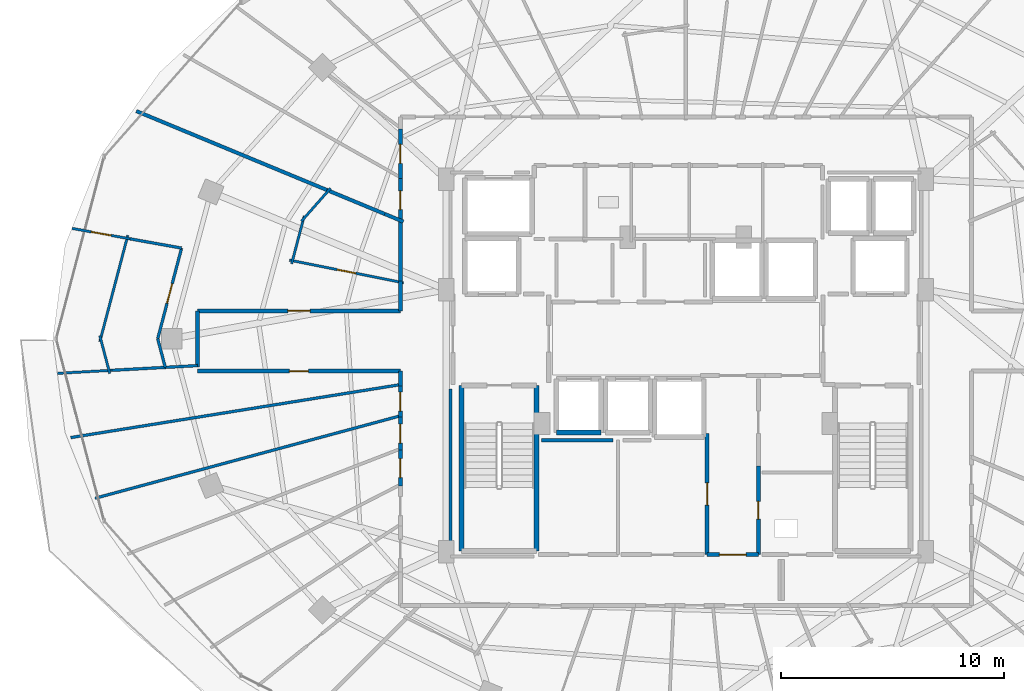
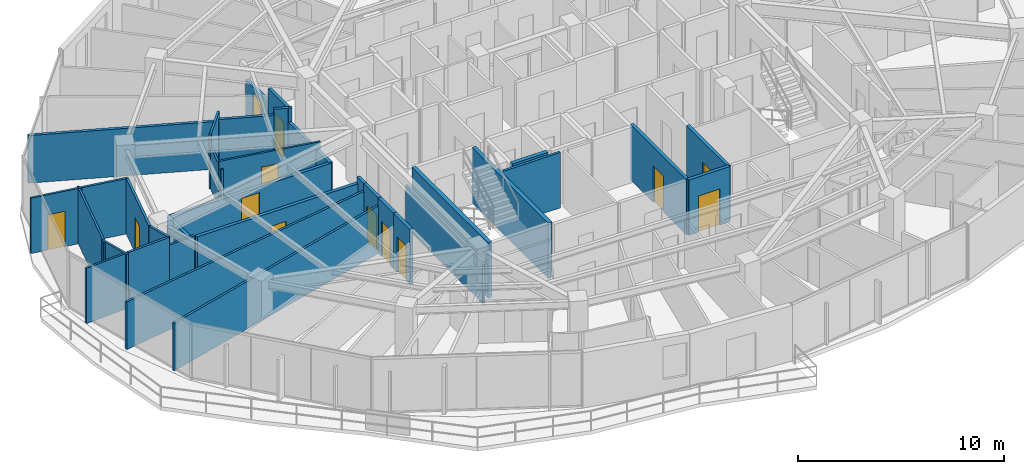
# One storey, part 25 of 33: 36 walls, 13 doors, 13 openings.
"""IFC4 building model written with IfcOpenShell, lengths in metres."""

from ifc_helpers import new_model, si_unit, direction, frame, frame_2d, origin, place, context, subcontext, project, spatial, rectangle, extrude, material, layer, layer_set, type_object, element, fill, save


model = new_model("IFC4")

# Units and contexts
model_context = context("Model", 3, precision=1e-05, world=origin(), true_north=direction((0.0, 1.0)))
body_context = subcontext(model_context, "Body", "Model", "MODEL_VIEW")
ifc_project = project(units=[si_unit("LENGTHUNIT", "METRE"), si_unit("AREAUNIT", "SQUARE_METRE"), si_unit("VOLUMEUNIT", "CUBIC_METRE"), si_unit("PLANEANGLEUNIT", "RADIAN"), si_unit("MASSUNIT", "GRAM", prefix="KILO")], contexts=[model_context])

# Site, building, storey
site_placement = place(None, origin())
site = spatial("IfcSite", under=ifc_project, at=site_placement, CompositionType="ELEMENT")
building_placement = place(site_placement, origin())
building = spatial("IfcBuilding", under=site, at=building_placement, Name="Vorneva Point Tower", CompositionType="ELEMENT")
storey_placement = place(building_placement, frame((0.0, 0.0, 217.85009765625)))
storey = spatial("IfcBuildingStorey", under=building, at=storey_placement, Name="L59", CompositionType="ELEMENT", Elevation=217.85009765625)

# Wall, opening, door
ifc_material_1 = material(Name="Fire-rated acoustic gypsum stud partition", Category="gypsum")
ifc_layer_1 = layer(ifc_material_1, 0.110107421875)
ifc_layer_set_1 = layer_set([ifc_layer_1], Name="Fire-rated acoustic gypsum stud partition")
wall_type_1 = type_object("IfcWallType", Name="WL-PART-110", PredefinedType="PARTITIONING", material=ifc_layer_set_1)
wall_1_placement = place(storey_placement, frame((25.33740234375, 28.5107421875, 0.0), z_axis=(0.0, 0.0, 1.0), x_axis=(-0.980930272027, 0.194359978959, 0.0)))
wall_1 = element("IfcWall", 1, at=wall_1_placement, inside=storey, type_object=wall_type_1, Name="L59 Interior Partition 120", PredefinedType="PARTITIONING", context=body_context, shape_type="SweptSolid", body=[
    extrude(rectangle(XDim=5.214111328125, YDim=0.110107421875, at=frame_2d((2.60693359375, 0.0))), origin(), (0.0, 0.0, 1.0), 2.923828125),
])
opening_1_placement = place(wall_1_placement, frame((2.181884765625, 0.0, 0.0)))
opening_1 = element("IfcOpeningElement", 2, at=opening_1_placement, cuts=wall_1, Name="Opening ID-02", PredefinedType="OPENING", context=body_context, shape_type="SweptSolid", body=[
    extrude(rectangle(XDim=0.85009765625, YDim=2.10009765625, at=frame_2d((0.425048828125, 1.050048828125))), frame((0.0, 0.06982421875, 0.0), z_axis=(0.0, -1.0, 0.0), x_axis=(1.0, 0.0, 0.0)), (0.0, 0.0, 1.0), 0.139892578125),
])
ifc_material_2 = material(Name="Engineered oak fire-rated door leaf", Category="wood")
door_type_1 = type_object("IfcDoorType", Name="DR-BATH-850", OperationType="NOTDEFINED", PredefinedType="DOOR", material=ifc_material_2)
door_1_placement = place(opening_1_placement, origin())
door_1 = element("IfcDoor", 3, at=door_1_placement, inside=storey, type_object=door_type_1, Name="L59 Door Living and Dining Room L59-03 / Bathroom L59-03", OperationType="SINGLE_SWING_RIGHT", OverallHeight=2.10009765625, OverallWidth=0.85009765625, PredefinedType="DOOR", context=body_context, shape_type="SweptSolid", body=[
    extrude(rectangle(XDim=0.85009765625, YDim=2.10009765625, at=frame_2d((0.425048828125, 1.050048828125))), frame((0.0, 0.02490234375, 0.0), z_axis=(0.0, -1.0, 0.0), x_axis=(1.0, 0.0, 0.0)), (0.0, 0.0, 1.0), 0.050048828125),
])
fill(opening_1, door_1)

# Walls
wall_2_placement = place(storey_placement, frame((20.324462890625, 29.361572265625, 0.0), z_axis=(0.0, 0.0, 1.0), x_axis=(0.254406599134, 0.967097348935, 0.0)))
element("IfcWall", 4, at=wall_2_placement, inside=storey, type_object=wall_type_1, Name="L59 Interior Partition 121", PredefinedType="PARTITIONING", context=body_context, shape_type="SweptSolid", body=[
    extrude(rectangle(XDim=2.2177734375, YDim=0.110107421875, at=frame_2d((1.10888671875, 0.0))), origin(), (0.0, 0.0, 1.0), 2.48193359375),
])
wall_3_placement = place(storey_placement, frame((20.760498046875, 31.26611328125, 0.0), z_axis=(0.0, 0.0, 1.0), x_axis=(0.661699472354, 0.749769170003, 0.0)))
element("IfcWall", 5, at=wall_3_placement, inside=storey, type_object=wall_type_1, Name="L59 Interior Partition 122", PredefinedType="PARTITIONING", context=body_context, shape_type="SweptSolid", body=[
    extrude(rectangle(XDim=1.970947265625, YDim=0.110107421875, at=frame_2d((0.9853515625, 0.0))), origin(), (0.0, 0.0, 1.0), 3.289794921875),
])
wall_4_placement = place(storey_placement, frame((12.273681640625, 24.584716796875, 0.0), z_axis=(0.0, 0.0, 1.0), x_axis=(-0.998485442787, -0.055016547898, 0.0)))
element("IfcWall", 6, at=wall_4_placement, inside=storey, type_object=wall_type_1, Name="L59 Interior Partition 123", PredefinedType="PARTITIONING", context=body_context, shape_type="SweptSolid", body=[
    extrude(rectangle(XDim=2.445068359375, YDim=0.110107421875, at=frame_2d((1.22265625, 0.0))), origin(), (0.0, 0.0, 1.0), 3.289794921875),
])

# Wall, opening, door
wall_5_placement = place(storey_placement, frame((10.480224609375, 30.94580078125, 0.0), z_axis=(0.0, 0.0, 1.0), x_axis=(0.98423288508, -0.176877437587, 0.0)))
wall_5 = element("IfcWall", 7, at=wall_5_placement, inside=storey, type_object=wall_type_1, Name="L59 Interior Partition 124", PredefinedType="PARTITIONING", context=body_context, shape_type="SweptSolid", body=[
    extrude(rectangle(XDim=2.643310546875, YDim=0.110107421875, at=frame_2d((1.32177734375, 0.0))), origin(), (0.0, 0.0, 1.0), 3.289794921875),
])
opening_2_placement = place(wall_5_placement, frame((0.87158203125, 0.0, 0.0)))
opening_2 = element("IfcOpeningElement", 8, at=opening_2_placement, cuts=wall_5, Name="Opening ID-01", PredefinedType="OPENING", context=body_context, shape_type="SweptSolid", body=[
    extrude(rectangle(XDim=0.89990234375, YDim=2.10009765625, at=frame_2d((0.449951171875, 1.050048828125))), frame((0.0, 0.06982421875, 0.0), z_axis=(0.0, -1.0, 0.0), x_axis=(1.0, 0.0, 0.0)), (0.0, 0.0, 1.0), 0.139892578125),
])
door_type_2 = type_object("IfcDoorType", Name="DR-ROOM-900", OperationType="NOTDEFINED", PredefinedType="DOOR", material=ifc_material_2)
door_2_placement = place(opening_2_placement, origin())
door_2 = element("IfcDoor", 9, at=door_2_placement, inside=storey, type_object=door_type_2, Name="L59 Door Living and Dining Room L59-03 / Kitchen L59-03", OperationType="SINGLE_SWING_LEFT", OverallHeight=2.10009765625, OverallWidth=0.89990234375, PredefinedType="DOOR", context=body_context, shape_type="SweptSolid", body=[
    extrude(rectangle(XDim=0.89990234375, YDim=2.10009765625, at=frame_2d((0.449951171875, 1.050048828125))), frame((0.0, 0.02490234375, 0.0), z_axis=(0.0, -1.0, 0.0), x_axis=(1.0, 0.0, 0.0)), (0.0, 0.0, 1.0), 0.050048828125),
])
fill(opening_2, door_2)

# Walls
wall_6_placement = place(storey_placement, frame((12.169677734375, 24.441650390625, 0.0), z_axis=(0.0, 0.0, 1.0), x_axis=(-0.254260000639, 0.967135901554, 0.0)))
element("IfcWall", 10, at=wall_6_placement, inside=storey, type_object=wall_type_1, Name="L59 Interior Partition 130", PredefinedType="PARTITIONING", context=body_context, shape_type="SweptSolid", body=[
    extrude(rectangle(XDim=1.75146484375, YDim=0.110107421875, at=frame_2d((0.875732421875, 0.0))), origin(), (0.0, 0.0, 1.0), 3.289794921875),
])
wall_7_placement = place(storey_placement, frame((11.724365234375, 25.864501953125, 0.0), z_axis=(0.0, 0.0, 1.0), x_axis=(0.254271749518, 0.967132812698, 0.0)))
element("IfcWall", 11, at=wall_7_placement, inside=storey, type_object=wall_type_1, Name="L59 Interior Partition 131", PredefinedType="PARTITIONING", context=body_context, shape_type="SweptSolid", body=[
    extrude(rectangle(XDim=4.936279296875, YDim=0.110107421875, at=frame_2d((2.46826171875, 0.0))), origin(), (0.0, 0.0, 1.0), 3.289794921875),
])

# Wall, opening, door
ifc_layer_2 = layer(ifc_material_1, 0.125)
ifc_layer_set_2 = layer_set([ifc_layer_2], Name="Fire-rated acoustic gypsum stud partition")
wall_type_2 = type_object("IfcWallType", Name="WL-PART-125", PredefinedType="PARTITIONING", material=ifc_layer_set_2)
wall_8_placement = place(storey_placement, frame((15.388916015625, 30.06396484375, 0.0), z_axis=(0.0, 0.0, 1.0), x_axis=(-0.254356027292, -0.967110651053, 0.0)))
wall_8 = element("IfcWall", 12, at=wall_8_placement, inside=storey, type_object=wall_type_2, Name="L59 Interior Partition 125", PredefinedType="PARTITIONING", context=body_context, shape_type="SweptSolid", body=[
    extrude(rectangle(XDim=4.2021484375, YDim=0.125, at=frame_2d((2.10107421875, 0.0))), origin(), (0.0, 0.0, 1.0), 3.289794921875),
])
opening_3_placement = place(wall_8_placement, frame((1.651123046875, 0.0, 0.0)))
opening_3 = element("IfcOpeningElement", 13, at=opening_3_placement, cuts=wall_8, Name="Opening ID-01", PredefinedType="OPENING", context=body_context, shape_type="SweptSolid", body=[
    extrude(rectangle(XDim=0.89990234375, YDim=2.10009765625, at=frame_2d((0.449951171875, 1.050048828125))), frame((0.0, 0.077392578125, 0.0), z_axis=(0.0, -1.0, 0.0), x_axis=(1.0, 0.0, 0.0)), (0.0, 0.0, 1.0), 0.15478515625),
])
door_3_placement = place(opening_3_placement, origin())
door_3 = element("IfcDoor", 14, at=door_3_placement, inside=storey, type_object=door_type_2, Name="L59 Door Living and Dining Room L59-03 / Study Room L59-03", OperationType="SINGLE_SWING_RIGHT", OverallHeight=2.10009765625, OverallWidth=0.89990234375, PredefinedType="DOOR", context=body_context, shape_type="SweptSolid", body=[
    extrude(rectangle(XDim=0.89990234375, YDim=2.10009765625, at=frame_2d((0.449951171875, 1.050048828125))), frame((0.0, 0.02490234375, 0.0), z_axis=(0.0, -1.0, 0.0), x_axis=(1.0, 0.0, 0.0)), (0.0, 0.0, 1.0), 0.050048828125),
])
fill(opening_3, door_3)

# Walls
wall_9_placement = place(storey_placement, frame((14.320068359375, 26.0, 0.0), z_axis=(0.0, 0.0, 1.0), x_axis=(0.254502350799, -0.967072155239, 0.0)))
element("IfcWall", 15, at=wall_9_placement, inside=storey, type_object=wall_type_2, Name="L59 Interior Partition 126", PredefinedType="PARTITIONING", context=body_context, shape_type="SweptSolid", body=[
    extrude(rectangle(XDim=1.32763671875, YDim=0.125, at=frame_2d((0.663818359375, 0.0))), origin(), (0.0, 0.0, 1.0), 3.289794921875),
])
wall_10_placement = place(storey_placement, frame((14.657958984375, 24.716064453125, 0.0), z_axis=(0.0, 0.0, 1.0), x_axis=(-0.998486041439, -0.055005681988, 0.0)))
element("IfcWall", 16, at=wall_10_placement, inside=storey, type_object=wall_type_2, Name="L59 Interior Partition 127", PredefinedType="PARTITIONING", context=body_context, shape_type="SweptSolid", body=[
    extrude(rectangle(XDim=2.387939453125, YDim=0.125, at=frame_2d((1.19384765625, 0.0))), origin(), (0.0, 0.0, 1.0), 3.289794921875),
])
wall_11_placement = place(storey_placement, frame((13.081787109375, 30.478271484375, 0.0), z_axis=(0.0, 0.0, 1.0), x_axis=(0.984255878712, -0.176749441923, 0.0)))
element("IfcWall", 17, at=wall_11_placement, inside=storey, type_object=wall_type_2, Name="L59 Interior Partition 128", PredefinedType="PARTITIONING", context=body_context, shape_type="SweptSolid", body=[
    extrude(rectangle(XDim=2.343994140625, YDim=0.125, at=frame_2d((1.171875, 0.0))), origin(), (0.0, 0.0, 1.0), 3.289794921875),
])
wall_12_placement = place(storey_placement, frame((14.657958984375, 24.7158203125, 0.0), z_axis=(0.0, 0.0, 1.0), x_axis=(0.99849911476, 0.054767853933, 0.0)))
element("IfcWall", 18, at=wall_12_placement, inside=storey, type_object=wall_type_2, Name="L59 Interior Partition 129", PredefinedType="PARTITIONING", context=body_context, shape_type="SweptSolid", body=[
    extrude(rectangle(XDim=1.4443359375, YDim=0.125, at=frame_2d((0.72216796875, 0.0))), origin(), (0.0, 0.0, 1.0), 2.823974609375),
])
wall_13_placement = place(storey_placement, frame((10.422119140625, 21.569091796875, 0.0), z_axis=(0.0, 0.0, 1.0), x_axis=(0.987340682458, 0.158613923612, 0.0)))
element("IfcWall", 19, at=wall_13_placement, inside=storey, type_object=wall_type_2, Name="L59 Interior Partition 132", PredefinedType="PARTITIONING", context=body_context, shape_type="SweptSolid", body=[
    extrude(rectangle(XDim=14.96728515625, YDim=0.125, at=frame_2d((7.483642578125, 0.0))), origin(), (0.0, 0.0, 1.0), 2.823974609375),
])
wall_14_placement = place(storey_placement, frame((11.510986328125, 18.84912109375, 0.0), z_axis=(0.0, 0.0, 1.0), x_axis=(0.965432982217, 0.260651408682, 0.0)))
element("IfcWall", 20, at=wall_14_placement, inside=storey, type_object=wall_type_2, Name="L59 Interior Partition 133", PredefinedType="PARTITIONING", context=body_context, shape_type="SweptSolid", body=[
    extrude(rectangle(XDim=14.17919921875, YDim=0.125, at=frame_2d((7.089599609375, 0.0))), origin(), (0.0, 0.0, 1.0), 2.823974609375),
])
ifc_layer_3 = layer(ifc_material_1, 0.139892578125)
ifc_layer_set_3 = layer_set([ifc_layer_3], Name="Fire-rated acoustic gypsum stud partition")
wall_type_3 = type_object("IfcWallType", Name="WL-PART-140", PredefinedType="PARTITIONING", material=ifc_layer_set_3)
wall_15_placement = place(storey_placement, frame((34.72998046875, 21.449951171875, 0.0), z_axis=(0.0, 0.0, 1.0), x_axis=(-1.0, 0.0, 0.0)))
element("IfcWall", 21, at=wall_15_placement, inside=storey, type_object=wall_type_3, Name="L59 Interior Closure Partition 168", PredefinedType="PARTITIONING", context=body_context, shape_type="SweptSolid", body=[
    extrude(rectangle(XDim=3.199951171875, YDim=0.139892578125, at=frame_2d((1.60009765625, 0.0))), origin(), (0.0, 0.0, 1.0), 3.289794921875),
])
wall_16_placement = place(storey_placement, frame((27.449951171875, 23.75390625, 0.0), z_axis=(0.0, 0.0, 1.0), x_axis=(0.0, -1.0, 0.0)))
element("IfcWall", 22, at=wall_16_placement, inside=storey, type_object=wall_type_3, Name="L59 Interior Closure Partition 179", PredefinedType="PARTITIONING", context=body_context, shape_type="SweptSolid", body=[
    extrude(rectangle(XDim=7.513916015625, YDim=0.139892578125, at=frame_2d((3.7568359375, 0.0))), origin(), (0.0, 0.0, 1.0), 2.48193359375),
])
ifc_layer_4 = layer(ifc_material_1, 0.159912109375)
ifc_layer_set_4 = layer_set([ifc_layer_4], Name="Fire-rated acoustic gypsum stud partition")
wall_type_4 = type_object("IfcWallType", Name="WL-PART-160", PredefinedType="PARTITIONING", material=ifc_layer_set_4)
wall_17_placement = place(storey_placement, frame((13.360107421875, 36.2060546875, 0.0), z_axis=(0.0, 0.0, 1.0), x_axis=(0.923875681471, -0.382692729466, 0.0)))
element("IfcWall", 23, at=wall_17_placement, inside=storey, type_object=wall_type_4, Name="L59 Interior Partition 117", PredefinedType="PARTITIONING", context=body_context, shape_type="SweptSolid", body=[
    extrude(rectangle(XDim=9.381103515625, YDim=0.159912109375, at=frame_2d((4.6904296875, 0.0))), origin(), (0.0, 0.0, 1.0), 2.823974609375),
])
wall_18_placement = place(storey_placement, frame((24.501708984375, 31.591552734375, 0.0), z_axis=(0.0, 0.0, 1.0), x_axis=(0.923704487622, -0.383105755043, 0.0)))
element("IfcWall", 24, at=wall_18_placement, inside=storey, type_object=wall_type_4, Name="L59 Interior Partition 118", PredefinedType="PARTITIONING", context=body_context, shape_type="SweptSolid", body=[
    extrude(rectangle(XDim=0.89599609375, YDim=0.159912109375, at=frame_2d((0.447998046875, 0.0))), origin(), (0.0, 0.0, 1.0), 3.289794921875),
])
wall_19_placement = place(storey_placement, frame((21.897705078125, 32.669677734375, 0.0), z_axis=(0.0, 0.0, 1.0), x_axis=(0.923953480513, -0.382504857286, 0.0)))
element("IfcWall", 25, at=wall_19_placement, inside=storey, type_object=wall_type_4, Name="L59 Interior Partition 119", PredefinedType="PARTITIONING", context=body_context, shape_type="SweptSolid", body=[
    extrude(rectangle(XDim=2.958251953125, YDim=0.159912109375, at=frame_2d((1.47900390625, 0.0))), origin(), (0.0, 0.0, 1.0), 2.923828125),
])

# Wall, opening, door
ifc_material_3 = material(Name="Autoclaved aerated concrete blockwork", Category="masonry")
ifc_layer_5 = layer(ifc_material_3, 0.179931640625)
ifc_layer_set_5 = layer_set([ifc_layer_5], Name="Autoclaved aerated concrete blockwork")
wall_type_5 = type_object("IfcWallType", Name="WL-PART-180", PredefinedType="PARTITIONING", material=ifc_layer_set_5)
wall_20_placement = place(storey_placement, frame((41.25, 16.320068359375, 0.0), z_axis=(0.0, 0.0, 1.0), x_axis=(0.0, 1.0, 0.0)))
wall_20 = element("IfcWall", 26, at=wall_20_placement, inside=storey, type_object=wall_type_5, Name="L59 Interior Partition 014", PredefinedType="PARTITIONING", context=body_context, shape_type="SweptSolid", body=[
    extrude(rectangle(XDim=3.98486328125, YDim=0.179931640625, at=frame_2d((1.992431640625, 0.0))), origin(), (0.0, 0.0, 1.0), 3.289794921875),
])
opening_4_placement = place(wall_20_placement, frame((1.592529296875, 0.0, 0.0)))
opening_4 = element("IfcOpeningElement", 27, at=opening_4_placement, cuts=wall_20, Name="Opening RD-01", PredefinedType="OPENING", context=body_context, shape_type="SweptSolid", body=[
    extrude(rectangle(XDim=0.800048828125, YDim=2.050048828125, at=frame_2d((0.39990234375, 1.02490234375))), frame((0.0, 0.10498046875, 0.0), z_axis=(0.0, -1.0, 0.0), x_axis=(1.0, 0.0, 0.0)), (0.0, 0.0, 1.0), 0.209716796875),
])
ifc_material_4 = material(Name="Fire-rated powder-coated steel", Category="steel")
door_type_3 = type_object("IfcDoorType", Name="DR-RSR-800", OperationType="SINGLE_SWING_LEFT", PredefinedType="DOOR", material=ifc_material_4)
door_4_placement = place(opening_4_placement, origin())
door_4 = element("IfcDoor", 28, at=door_4_placement, inside=storey, type_object=door_type_3, Name="L59 Door Core Service Lobby / Electrical Riser", OperationType="SINGLE_SWING_RIGHT", OverallHeight=2.050048828125, OverallWidth=0.800048828125, PredefinedType="DOOR", context=body_context, shape_type="SweptSolid", body=[
    extrude(rectangle(XDim=0.800048828125, YDim=2.050048828125, at=frame_2d((0.39990234375, 1.02490234375))), frame((0.0, 0.02490234375, 0.0), z_axis=(0.0, -1.0, 0.0), x_axis=(1.0, 0.0, 0.0)), (0.0, 0.0, 1.0), 0.050048828125),
])
fill(opening_4, door_4)

wall_21_placement = place(storey_placement, frame((38.949951171875, 21.7548828125, 0.0), z_axis=(0.0, 0.0, 1.0), x_axis=(0.0, -1.0, 0.0)))
wall_21 = element("IfcWall", 29, at=wall_21_placement, inside=storey, type_object=wall_type_5, Name="L59 Interior Partition 016", PredefinedType="PARTITIONING", context=body_context, shape_type="SweptSolid", body=[
    extrude(rectangle(XDim=5.434814453125, YDim=0.179931640625, at=frame_2d((2.71728515625, 0.0))), origin(), (0.0, 0.0, 1.0), 3.289794921875),
])
opening_5_placement = place(wall_21_placement, frame((2.217529296875, 0.0, 0.0)))
opening_5 = element("IfcOpeningElement", 30, at=opening_5_placement, cuts=wall_21, Name="Opening UD-01", PredefinedType="OPENING", context=body_context, shape_type="SweptSolid", body=[
    extrude(rectangle(XDim=1.0, YDim=2.14990234375, at=frame_2d((0.5, 1.074951171875))), frame((0.0, 0.10498046875, 0.0), z_axis=(0.0, -1.0, 0.0), x_axis=(1.0, 0.0, 0.0)), (0.0, 0.0, 1.0), 0.209716796875),
])
door_type_4 = type_object("IfcDoorType", Name="DR-UNIT-1000", OperationType="NOTDEFINED", PredefinedType="DOOR", material=ifc_material_2)
door_5_placement = place(opening_5_placement, origin())
door_5 = element("IfcDoor", 31, at=door_5_placement, inside=storey, type_object=door_type_4, Name="L59 Door Core Service Lobby / Staff Service Pantry", OperationType="SINGLE_SWING_RIGHT", OverallHeight=2.14990234375, OverallWidth=1.0, PredefinedType="DOOR", context=body_context, shape_type="SweptSolid", body=[
    extrude(rectangle(XDim=1.0, YDim=2.14990234375, at=frame_2d((0.5, 1.074951171875))), frame((0.0, 0.02490234375, 0.0), z_axis=(0.0, -1.0, 0.0), x_axis=(1.0, 0.0, 0.0)), (0.0, 0.0, 1.0), 0.050048828125),
])
fill(opening_5, door_5)

wall_22_placement = place(storey_placement, frame((38.949951171875, 16.320068359375, 0.0), z_axis=(0.0, 0.0, 1.0), x_axis=(1.0, 0.0, 0.0)))
wall_22 = element("IfcWall", 32, at=wall_22_placement, inside=storey, type_object=wall_type_5, Name="L59 Interior Partition 017", PredefinedType="PARTITIONING", context=body_context, shape_type="SweptSolid", body=[
    extrude(rectangle(XDim=2.300048828125, YDim=0.179931640625, at=frame_2d((1.14990234375, 0.0))), origin(), (0.0, 0.0, 1.0), 3.289794921875),
])
opening_6_placement = place(wall_22_placement, frame((0.550048828125, 0.0, 0.0)))
opening_6 = element("IfcOpeningElement", 33, at=opening_6_placement, cuts=wall_22, Name="Opening FD-02", PredefinedType="OPENING", context=body_context, shape_type="SweptSolid", body=[
    extrude(rectangle(XDim=1.199951171875, YDim=2.14990234375, at=frame_2d((0.60009765625, 1.074951171875))), frame((0.0, 0.10498046875, 0.0), z_axis=(0.0, -1.0, 0.0), x_axis=(1.0, 0.0, 0.0)), (0.0, 0.0, 1.0), 0.209716796875),
])
door_type_5 = type_object("IfcDoorType", Name="DR-FFL-1200", OperationType="NOTDEFINED", PredefinedType="DOOR", material=ifc_material_4)
door_6_placement = place(opening_6_placement, origin())
door_6 = element("IfcDoor", 34, at=door_6_placement, inside=storey, type_object=door_type_5, Name="L59 Door Core Service Lobby / L59 Circulation Corridor", OperationType="SINGLE_SWING_LEFT", OverallHeight=2.14990234375, OverallWidth=1.199951171875, PredefinedType="DOOR", context=body_context, shape_type="SweptSolid", body=[
    extrude(rectangle(XDim=1.199951171875, YDim=2.14990234375, at=frame_2d((0.60009765625, 1.074951171875))), frame((0.0, 0.02490234375, 0.0), z_axis=(0.0, -1.0, 0.0), x_axis=(1.0, 0.0, 0.0)), (0.0, 0.0, 1.0), 0.050048828125),
])
fill(opening_6, door_6)

wall_23_placement = place(storey_placement, frame((25.199951171875, 35.39404296875, 0.0), z_axis=(0.0, 0.0, 1.0), x_axis=(0.0, -1.0, 0.0)))
wall_23 = element("IfcWall", 35, at=wall_23_placement, inside=storey, type_object=wall_type_5, Name="L59 Interior Partition 050", PredefinedType="PARTITIONING", context=body_context, shape_type="SweptSolid", body=[
    extrude(rectangle(XDim=2.218994140625, YDim=0.179931640625, at=frame_2d((1.109375, 0.0))), origin(), (0.0, 0.0, 1.0), 2.48193359375),
])
opening_7_placement = place(wall_23_placement, frame((0.6845703125, 0.0, 0.0)))
opening_7 = element("IfcOpeningElement", 36, at=opening_7_placement, cuts=wall_23, Name="Opening ID-02", PredefinedType="OPENING", context=body_context, shape_type="SweptSolid", body=[
    extrude(rectangle(XDim=0.85009765625, YDim=2.10009765625, at=frame_2d((0.425048828125, 1.050048828125))), frame((0.0, 0.10498046875, 0.0), z_axis=(0.0, -1.0, 0.0), x_axis=(1.0, 0.0, 0.0)), (0.0, 0.0, 1.0), 0.209716796875),
])
door_7_placement = place(opening_7_placement, origin())
door_7 = element("IfcDoor", 37, at=door_7_placement, inside=storey, type_object=door_type_1, Name="L59 Access Door L59 Circulation Corridor", OperationType="SINGLE_SWING_LEFT", OverallHeight=2.10009765625, OverallWidth=0.85009765625, PredefinedType="DOOR", context=body_context, shape_type="SweptSolid", body=[
    extrude(rectangle(XDim=0.85009765625, YDim=2.10009765625, at=frame_2d((0.425048828125, 1.050048828125))), frame((0.0, 0.02490234375, 0.0), z_axis=(0.0, -1.0, 0.0), x_axis=(1.0, 0.0, 0.0)), (0.0, 0.0, 1.0), 0.050048828125),
])
fill(opening_7, door_7)

wall_24_placement = place(storey_placement, frame((25.199951171875, 33.175048828125, 0.0), z_axis=(0.0, 0.0, 1.0), x_axis=(0.0, -1.0, 0.0)))
wall_24 = element("IfcWall", 38, at=wall_24_placement, inside=storey, type_object=wall_type_5, Name="L59 Interior Partition 051", PredefinedType="PARTITIONING", context=body_context, shape_type="SweptSolid", body=[
    extrude(rectangle(XDim=1.93310546875, YDim=0.179931640625, at=frame_2d((0.966552734375, 0.0))), origin(), (0.0, 0.0, 1.0), 3.289794921875),
])
opening_8_placement = place(wall_24_placement, frame((0.54150390625, 0.0, 0.0)))
opening_8 = element("IfcOpeningElement", 39, at=opening_8_placement, cuts=wall_24, Name="Opening ID-02", PredefinedType="OPENING", context=body_context, shape_type="SweptSolid", body=[
    extrude(rectangle(XDim=0.85009765625, YDim=2.10009765625, at=frame_2d((0.425048828125, 1.050048828125))), frame((0.0, 0.10498046875, 0.0), z_axis=(0.0, -1.0, 0.0), x_axis=(1.0, 0.0, 0.0)), (0.0, 0.0, 1.0), 0.209716796875),
])
door_8_placement = place(opening_8_placement, origin())
door_8 = element("IfcDoor", 40, at=door_8_placement, inside=storey, type_object=door_type_1, Name="L59 Access Door L59 Circulation Corridor", OperationType="SINGLE_SWING_RIGHT", OverallHeight=2.10009765625, OverallWidth=0.85009765625, PredefinedType="DOOR", context=body_context, shape_type="SweptSolid", body=[
    extrude(rectangle(XDim=0.85009765625, YDim=2.10009765625, at=frame_2d((0.425048828125, 1.050048828125))), frame((0.0, 0.02490234375, 0.0), z_axis=(0.0, -1.0, 0.0), x_axis=(1.0, 0.0, 0.0)), (0.0, 0.0, 1.0), 0.050048828125),
])
fill(opening_8, door_8)

# Walls
wall_25_placement = place(storey_placement, frame((16.10009765625, 27.25, 0.0), z_axis=(0.0, 0.0, 1.0), x_axis=(0.0, -1.0, 0.0)))
element("IfcWall", 41, at=wall_25_placement, inside=storey, type_object=wall_type_5, Name="L59 Interior Partition 052", PredefinedType="PARTITIONING", context=body_context, shape_type="SweptSolid", body=[
    extrude(rectangle(XDim=2.514892578125, YDim=0.179931640625, at=frame_2d((1.25732421875, 0.0))), origin(), (0.0, 0.0, 1.0), 2.48193359375),
])
wall_26_placement = place(storey_placement, frame((25.199951171875, 28.59912109375, 0.0), z_axis=(0.0, 0.0, 1.0), x_axis=(0.0, -1.0, 0.0)))
element("IfcWall", 42, at=wall_26_placement, inside=storey, type_object=wall_type_5, Name="L59 Interior Partition 053", PredefinedType="PARTITIONING", context=body_context, shape_type="SweptSolid", body=[
    extrude(rectangle(XDim=1.34912109375, YDim=0.179931640625, at=frame_2d((0.674560546875, 0.0))), origin(), (0.0, 0.0, 1.0), 2.48193359375),
])

# Wall, opening, door
wall_27_placement = place(storey_placement, frame((25.199951171875, 27.25, 0.0), z_axis=(0.0, 0.0, 1.0), x_axis=(-1.0, 0.0, 0.0)))
wall_27 = element("IfcWall", 43, at=wall_27_placement, inside=storey, type_object=wall_type_5, Name="L59 Interior Partition 054", PredefinedType="PARTITIONING", context=body_context, shape_type="SweptSolid", body=[
    extrude(rectangle(XDim=9.099853515625, YDim=0.179931640625, at=frame_2d((4.5498046875, 0.0))), origin(), (0.0, 0.0, 1.0), 2.48193359375),
])
opening_9_placement = place(wall_27_placement, frame((4.050048828125, 0.0, 0.0)))
opening_9 = element("IfcOpeningElement", 44, at=opening_9_placement, cuts=wall_27, Name="Opening UD-01", PredefinedType="OPENING", context=body_context, shape_type="SweptSolid", body=[
    extrude(rectangle(XDim=1.0, YDim=2.14990234375, at=frame_2d((0.5, 1.074951171875))), frame((0.0, 0.10498046875, 0.0), z_axis=(0.0, -1.0, 0.0), x_axis=(1.0, 0.0, 0.0)), (0.0, 0.0, 1.0), 0.209716796875),
])
door_9_placement = place(opening_9_placement, origin())
door_9 = element("IfcDoor", 45, at=door_9_placement, inside=storey, type_object=door_type_4, Name="L59 Door L59 Circulation Corridor / Living and Dining Room L59-03", OperationType="SINGLE_SWING_LEFT", OverallHeight=2.14990234375, OverallWidth=1.0, PredefinedType="DOOR", context=body_context, shape_type="SweptSolid", body=[
    extrude(rectangle(XDim=1.0, YDim=2.14990234375, at=frame_2d((0.5, 1.074951171875))), frame((0.0, 0.02490234375, 0.0), z_axis=(0.0, -1.0, 0.0), x_axis=(1.0, 0.0, 0.0)), (0.0, 0.0, 1.0), 0.050048828125),
])
fill(opening_9, door_9)

# Wall
wall_28_placement = place(storey_placement, frame((25.199951171875, 31.382080078125, 0.0), z_axis=(0.0, 0.0, 1.0), x_axis=(0.0, -1.0, 0.0)))
element("IfcWall", 46, at=wall_28_placement, inside=storey, type_object=wall_type_5, Name="L59 Interior Partition 055", PredefinedType="PARTITIONING", context=body_context, shape_type="SweptSolid", body=[
    extrude(rectangle(XDim=2.923095703125, YDim=0.179931640625, at=frame_2d((1.46142578125, 0.0))), origin(), (0.0, 0.0, 1.0), 2.48193359375),
])

# Wall, opening, door
wall_29_placement = place(storey_placement, frame((16.10009765625, 24.550048828125, 0.0), z_axis=(0.0, 0.0, 1.0), x_axis=(1.0, 0.0, 0.0)))
wall_29 = element("IfcWall", 47, at=wall_29_placement, inside=storey, type_object=wall_type_5, Name="L59 Interior Partition 056", PredefinedType="PARTITIONING", context=body_context, shape_type="SweptSolid", body=[
    extrude(rectangle(XDim=9.099853515625, YDim=0.179931640625, at=frame_2d((4.5498046875, 0.0))), origin(), (0.0, 0.0, 1.0), 2.923828125),
])
opening_10_placement = place(wall_29_placement, frame((4.125, 0.0, 0.0)))
opening_10 = element("IfcOpeningElement", 48, at=opening_10_placement, cuts=wall_29, Name="Opening ID-02", PredefinedType="OPENING", context=body_context, shape_type="SweptSolid", body=[
    extrude(rectangle(XDim=0.85009765625, YDim=2.10009765625, at=frame_2d((0.425048828125, 1.050048828125))), frame((0.0, 0.10498046875, 0.0), z_axis=(0.0, -1.0, 0.0), x_axis=(1.0, 0.0, 0.0)), (0.0, 0.0, 1.0), 0.209716796875),
])
door_10_placement = place(opening_10_placement, origin())
door_10 = element("IfcDoor", 49, at=door_10_placement, inside=storey, type_object=door_type_1, Name="L59 Access Door L59 Circulation Corridor", OperationType="SINGLE_SWING_LEFT", OverallHeight=2.10009765625, OverallWidth=0.85009765625, PredefinedType="DOOR", context=body_context, shape_type="SweptSolid", body=[
    extrude(rectangle(XDim=0.85009765625, YDim=2.10009765625, at=frame_2d((0.425048828125, 1.050048828125))), frame((0.0, 0.02490234375, 0.0), z_axis=(0.0, -1.0, 0.0), x_axis=(1.0, 0.0, 0.0)), (0.0, 0.0, 1.0), 0.050048828125),
])
fill(opening_10, door_10)

# Wall
wall_30_placement = place(storey_placement, frame((25.199951171875, 24.550048828125, 0.0), z_axis=(0.0, 0.0, 1.0), x_axis=(0.0, -1.0, 0.0)))
element("IfcWall", 50, at=wall_30_placement, inside=storey, type_object=wall_type_5, Name="L59 Interior Partition 057", PredefinedType="PARTITIONING", context=body_context, shape_type="SweptSolid", body=[
    extrude(rectangle(XDim=0.66796875, YDim=0.179931640625, at=frame_2d((0.333984375, 0.0))), origin(), (0.0, 0.0, 1.0), 3.289794921875),
])

# Wall, opening, door
wall_31_placement = place(storey_placement, frame((25.199951171875, 23.882080078125, 0.0), z_axis=(0.0, 0.0, 1.0), x_axis=(0.0, -1.0, 0.0)))
wall_31 = element("IfcWall", 51, at=wall_31_placement, inside=storey, type_object=wall_type_5, Name="L59 Interior Partition 058", PredefinedType="PARTITIONING", context=body_context, shape_type="SweptSolid", body=[
    extrude(rectangle(XDim=1.399169921875, YDim=0.179931640625, at=frame_2d((0.69970703125, 0.0))), origin(), (0.0, 0.0, 1.0), 3.289794921875),
])
opening_11_placement = place(wall_31_placement, frame((0.2744140625, 0.0, 0.0)))
opening_11 = element("IfcOpeningElement", 52, at=opening_11_placement, cuts=wall_31, Name="Opening ID-02", PredefinedType="OPENING", context=body_context, shape_type="SweptSolid", body=[
    extrude(rectangle(XDim=0.85009765625, YDim=2.10009765625, at=frame_2d((0.425048828125, 1.050048828125))), frame((0.0, 0.10498046875, 0.0), z_axis=(0.0, -1.0, 0.0), x_axis=(1.0, 0.0, 0.0)), (0.0, 0.0, 1.0), 0.209716796875),
])
door_11_placement = place(opening_11_placement, origin())
door_11 = element("IfcDoor", 53, at=door_11_placement, inside=storey, type_object=door_type_1, Name="L59 Access Door L59 Circulation Corridor", OperationType="SINGLE_SWING_RIGHT", OverallHeight=2.10009765625, OverallWidth=0.85009765625, PredefinedType="DOOR", context=body_context, shape_type="SweptSolid", body=[
    extrude(rectangle(XDim=0.85009765625, YDim=2.10009765625, at=frame_2d((0.425048828125, 1.050048828125))), frame((0.0, 0.02490234375, 0.0), z_axis=(0.0, -1.0, 0.0), x_axis=(1.0, 0.0, 0.0)), (0.0, 0.0, 1.0), 0.050048828125),
])
fill(opening_11, door_11)

wall_32_placement = place(storey_placement, frame((25.199951171875, 22.48291015625, 0.0), z_axis=(0.0, 0.0, 1.0), x_axis=(0.0, -1.0, 0.0)))
wall_32 = element("IfcWall", 54, at=wall_32_placement, inside=storey, type_object=wall_type_5, Name="L59 Interior Partition 059", PredefinedType="PARTITIONING", context=body_context, shape_type="SweptSolid", body=[
    extrude(rectangle(XDim=1.48193359375, YDim=0.179931640625, at=frame_2d((0.740966796875, 0.0))), origin(), (0.0, 0.0, 1.0), 3.289794921875),
])
opening_12_placement = place(wall_32_placement, frame((0.31591796875, 0.0, 0.0)))
opening_12 = element("IfcOpeningElement", 55, at=opening_12_placement, cuts=wall_32, Name="Opening ID-02", PredefinedType="OPENING", context=body_context, shape_type="SweptSolid", body=[
    extrude(rectangle(XDim=0.85009765625, YDim=2.10009765625, at=frame_2d((0.425048828125, 1.050048828125))), frame((0.0, 0.10498046875, 0.0), z_axis=(0.0, -1.0, 0.0), x_axis=(1.0, 0.0, 0.0)), (0.0, 0.0, 1.0), 0.209716796875),
])
door_12_placement = place(opening_12_placement, origin())
door_12 = element("IfcDoor", 56, at=door_12_placement, inside=storey, type_object=door_type_1, Name="L59 Access Door L59 Circulation Corridor", OperationType="SINGLE_SWING_LEFT", OverallHeight=2.10009765625, OverallWidth=0.85009765625, PredefinedType="DOOR", context=body_context, shape_type="SweptSolid", body=[
    extrude(rectangle(XDim=0.85009765625, YDim=2.10009765625, at=frame_2d((0.425048828125, 1.050048828125))), frame((0.0, 0.02490234375, 0.0), z_axis=(0.0, -1.0, 0.0), x_axis=(1.0, 0.0, 0.0)), (0.0, 0.0, 1.0), 0.050048828125),
])
fill(opening_12, door_12)

wall_33_placement = place(storey_placement, frame((25.199951171875, 21.0009765625, 0.0), z_axis=(0.0, 0.0, 1.0), x_axis=(0.0, -1.0, 0.0)))
wall_33 = element("IfcWall", 57, at=wall_33_placement, inside=storey, type_object=wall_type_5, Name="L59 Interior Partition 060", PredefinedType="PARTITIONING", context=body_context, shape_type="SweptSolid", body=[
    extrude(rectangle(XDim=1.60791015625, YDim=0.179931640625, at=frame_2d((0.803955078125, 0.0))), origin(), (0.0, 0.0, 1.0), 3.289794921875),
])
opening_13_placement = place(wall_33_placement, frame((0.37890625, 0.0, 0.0)))
opening_13 = element("IfcOpeningElement", 58, at=opening_13_placement, cuts=wall_33, Name="Opening ID-02", PredefinedType="OPENING", context=body_context, shape_type="SweptSolid", body=[
    extrude(rectangle(XDim=0.85009765625, YDim=2.10009765625, at=frame_2d((0.425048828125, 1.050048828125))), frame((0.0, 0.10498046875, 0.0), z_axis=(0.0, -1.0, 0.0), x_axis=(1.0, 0.0, 0.0)), (0.0, 0.0, 1.0), 0.209716796875),
])
door_13_placement = place(opening_13_placement, origin())
door_13 = element("IfcDoor", 59, at=door_13_placement, inside=storey, type_object=door_type_1, Name="L59 Access Door L59 Circulation Corridor", OperationType="SINGLE_SWING_RIGHT", OverallHeight=2.10009765625, OverallWidth=0.85009765625, PredefinedType="DOOR", context=body_context, shape_type="SweptSolid", body=[
    extrude(rectangle(XDim=0.85009765625, YDim=2.10009765625, at=frame_2d((0.425048828125, 1.050048828125))), frame((0.0, 0.02490234375, 0.0), z_axis=(0.0, -1.0, 0.0), x_axis=(1.0, 0.0, 0.0)), (0.0, 0.0, 1.0), 0.050048828125),
])
fill(opening_13, door_13)

# Walls
ifc_material_5 = material(Name="Concrete B50 (C40/50)", Category="concrete")
ifc_layer_6 = layer(ifc_material_5, 0.219970703125)
ifc_layer_set_6 = layer_set([ifc_layer_6], Name="Concrete B50 (C40/50)")
wall_type_6 = type_object("IfcWallType", Name="WL-SHFT-220", PredefinedType="SOLIDWALL", material=ifc_layer_set_6)
for number, where, z_axis, x_axis, name in (
    (60, (31.31005859375, 23.909912109375, 0.0), (0.0, 0.0, 1.0), (0.0, -1.0, 0.0), "L59 Exit Stair ST1 Shaft Wall right"),
    (61, (27.93994140625, 16.489990234375, 0.0), (0.0, 0.0, 1.0), (0.0, 1.0, 0.0), "L59 Exit Stair ST1 Shaft Wall left"),
):
    element("IfcWall", number, at=place(storey_placement, frame(where, z_axis=z_axis, x_axis=x_axis)), inside=storey, type_object=wall_type_6, Name=name, PredefinedType="SOLIDWALL", context=body_context, shape_type="SweptSolid", body=[
        extrude(rectangle(XDim=7.419921875, YDim=0.219970703125, at=frame_2d((3.7099609375, 0.0))), origin(), (0.0, 0.0, 1.0), 3.289794921875),
    ])
wall_34_placement = place(storey_placement, frame((32.199951171875, 21.800048828125, 0.0), z_axis=(0.0, 0.0, 1.0), x_axis=(1.0, 0.0, 0.0)))
element("IfcWall", 62, at=wall_34_placement, inside=storey, type_object=wall_type_6, Name="L59 Lift PL4 Shaft Wall -Y", PredefinedType="SOLIDWALL", context=body_context, shape_type="SweptSolid", body=[
    extrude(rectangle(XDim=2.0, YDim=0.219970703125, at=frame_2d((1.0, 0.0))), origin(), (0.0, 0.0, 1.0), 3.289794921875),
])

save(model, "model.ifc")
